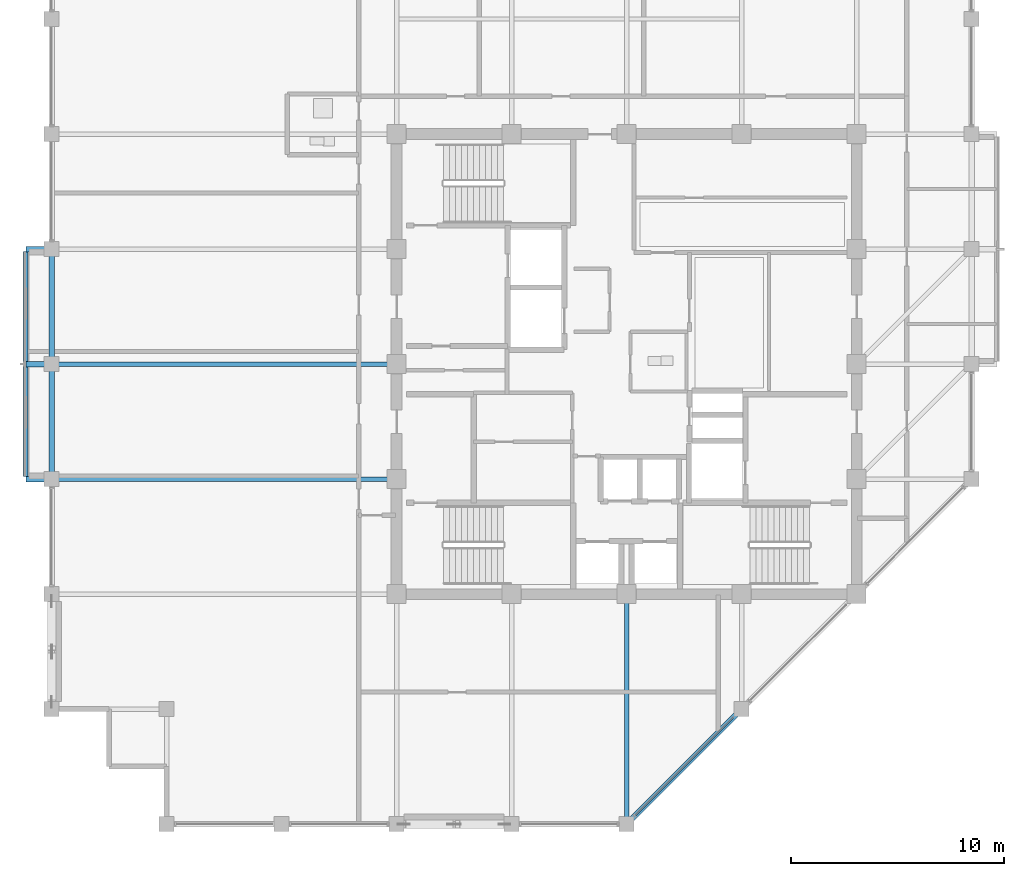
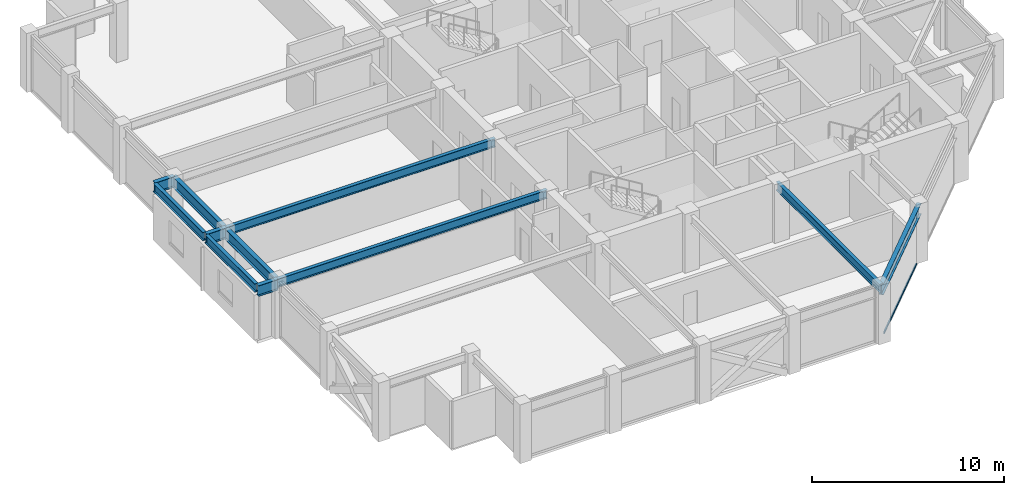
# One storey, part 7 of 29: 11 beams, 1 member, 1 element without a shape of its own.
"""IFC4 building model written with IfcOpenShell, lengths in metres."""

from ifc_helpers import new_model, si_unit, direction, frame, origin, origin_2d, place, context, subcontext, project, spatial, hollow_rectangle, i_section, extrude, material, layer, layer_set, material_profile, profile_set, type_object, element, aggregate, save


model = new_model("IFC4")

# Units and contexts
model_context = context("Model", 3, precision=1e-05, world=origin(), true_north=direction((0.0, 1.0)))
body_context = subcontext(model_context, "Body", "Model", "MODEL_VIEW")
ifc_project = project(units=[si_unit("LENGTHUNIT", "METRE"), si_unit("AREAUNIT", "SQUARE_METRE"), si_unit("VOLUMEUNIT", "CUBIC_METRE"), si_unit("PLANEANGLEUNIT", "RADIAN"), si_unit("MASSUNIT", "GRAM", prefix="KILO")], contexts=[model_context])

# Site, building, storey
site_placement = place(None, origin())
site = spatial("IfcSite", under=ifc_project, at=site_placement, CompositionType="ELEMENT")
building_placement = place(site_placement, origin())
building = spatial("IfcBuilding", under=site, at=building_placement, Name="Surkhivell Harbour Commons", CompositionType="ELEMENT")
storey_placement = place(building_placement, frame((0.0, 0.0, 273.75)))
storey = spatial("IfcBuildingStorey", under=building, at=storey_placement, Name="L71", CompositionType="ELEMENT", Elevation=273.75)

# Beams
ifc_material_1 = material(Name="Steel S460", Category="steel")
ifc_material_profile_1 = material_profile(ifc_material_1, i_section(OverallWidth=0.256103515625, OverallDepth=0.693115234375, WebThickness=0.014404296875, FlangeThickness=0.023681640625, at=origin_2d()), Name="UB686x254x170")
ifc_profile_set_1 = profile_set([ifc_material_profile_1], Name="Steel S460")
beam_type_1 = type_object("IfcBeamType", Name="BM-CNT-686", PredefinedType="BEAM", material=ifc_profile_set_1)
for number, where, z_axis, x_axis, name in (
    (1, (-27.0, -5.39990234375, 3.223388671875), (-1.0, 0.0, 0.0), (0.0, -1.0, 0.0), "L71 Box Cantilever Outrigger (-27.0,-5.4)"),
    (2, (-27.0, 0.0, 3.223388671875), (-1.0, 0.0, 0.0), (0.0, -1.0, 0.0), "L71 Box Cantilever Outrigger (-27.0,0.0)"),
    (3, (-27.0, 5.39990234375, 3.223388671875), (-1.0, 0.0, 0.0), (0.0, -1.0, 0.0), "L71 Box Cantilever Outrigger (-27.0,5.4)"),
):
    element("IfcBeam", number, at=place(storey_placement, frame(where, z_axis=z_axis, x_axis=x_axis)), inside=storey, type_object=beam_type_1, Name=name, PredefinedType="BEAM", context=body_context, shape_type="SweptSolid", body=[
        extrude(i_section(OverallWidth=0.256103515625, OverallDepth=0.693115234375, WebThickness=0.014404296875, FlangeThickness=0.023681640625, at=origin_2d()), origin(), (0.0, 0.0, 1.0), 1.199951171875),
    ])
ifc_material_2 = material(Name="Steel S355", Category="steel")
ifc_material_profile_2 = material_profile(ifc_material_2, i_section(OverallWidth=0.2099609375, OverallDepth=0.537109375, WebThickness=0.0107421875, FlangeThickness=0.017333984375, at=origin_2d()), Name="UB533x210x101")
ifc_profile_set_2 = profile_set([ifc_material_profile_2], Name="Steel S355")
beam_type_2 = type_object("IfcBeamType", Name="BM-GRD-533B", PredefinedType="BEAM", material=ifc_profile_set_2)
for number, where, z_axis, x_axis, name in (
    (4, (-27.0, -5.39990234375, 3.301513671875), (1.0, 0.0, 0.0), (0.0, 1.0, 0.0), "L71 Floor Girder (-27.0,-5.4)"),
    (5, (-27.0, 0.0, 3.301513671875), (1.0, 0.0, 0.0), (0.0, 1.0, 0.0), "L71 Floor Girder (-27.0,0.0)"),
):
    element("IfcBeam", number, at=place(storey_placement, frame(where, z_axis=z_axis, x_axis=x_axis)), inside=storey, type_object=beam_type_2, Name=name, PredefinedType="BEAM", context=body_context, shape_type="SweptSolid", body=[
        extrude(i_section(OverallWidth=0.2099609375, OverallDepth=0.537109375, WebThickness=0.0107421875, FlangeThickness=0.017333984375, at=origin_2d()), origin(), (0.0, 0.0, 1.0), 16.199951171875),
    ])
beam_1_placement = place(storey_placement, frame((0.0, -21.60009765625, 3.301513671875), z_axis=(0.0, 1.0, 0.0), x_axis=(-1.0, 0.0, 0.0)))
element("IfcBeam", 6, at=beam_1_placement, inside=storey, type_object=beam_type_2, Name="L71 Floor Girder (0.0,-21.6)", PredefinedType="BEAM", context=body_context, shape_type="SweptSolid", body=[
    extrude(i_section(OverallWidth=0.2099609375, OverallDepth=0.537109375, WebThickness=0.0107421875, FlangeThickness=0.017333984375, at=origin_2d()), origin(), (0.0, 0.0, 1.0), 10.800048828125),
])
for number, where, z_axis, x_axis, name in (
    (7, (-28.199951171875, -5.278076171875, 3.301513671875), (0.0, 1.0, 0.0), (-1.0, 0.0, 0.0), "L71 Box Rim Spandrel (-28.2,-5.4)"),
    (8, (-28.199951171875, 0.1220703125, 3.301513671875), (0.0, 1.0, 0.0), (-1.0, 0.0, 0.0), "L71 Box Rim Spandrel (-28.2,0.0)"),
):
    element("IfcBeam", number, at=place(storey_placement, frame(where, z_axis=z_axis, x_axis=x_axis)), inside=storey, type_object=beam_type_2, Name=name, PredefinedType="BEAM", context=body_context, shape_type="SweptSolid", body=[
        extrude(i_section(OverallWidth=0.2099609375, OverallDepth=0.537109375, WebThickness=0.0107421875, FlangeThickness=0.017333984375, at=origin_2d()), origin(), (0.0, 0.0, 1.0), 5.156005859375),
    ])
ifc_material_profile_3 = material_profile(ifc_material_2, i_section(OverallWidth=0.256103515625, OverallDepth=0.693115234375, WebThickness=0.014404296875, FlangeThickness=0.023681640625, at=origin_2d()), Name="UB686x254x170")
ifc_profile_set_3 = profile_set([ifc_material_profile_3], Name="Steel S355")
beam_type_3 = type_object("IfcBeamType", Name="BM-SPN-686", PredefinedType="SPANDREL", material=ifc_profile_set_3)
for number, where, z_axis, x_axis, name in (
    (9, (-27.0, -5.39990234375, 3.223388671875), (0.0, 1.0, 0.0), (-1.0, 0.0, 0.0), "L71 Tube Spandrel (-27.0,-5.4)"),
    (10, (-27.0, 0.0, 3.223388671875), (0.0, 1.0, 0.0), (-1.0, 0.0, 0.0), "L71 Tube Spandrel (-27.0,0.0)"),
):
    element("IfcBeam", number, at=place(storey_placement, frame(where, z_axis=z_axis, x_axis=x_axis)), inside=storey, type_object=beam_type_3, Name=name, PredefinedType="SPANDREL", context=body_context, shape_type="SweptSolid", body=[
        extrude(i_section(OverallWidth=0.256103515625, OverallDepth=0.693115234375, WebThickness=0.014404296875, FlangeThickness=0.023681640625, at=origin_2d()), origin(), (0.0, 0.0, 1.0), 5.39990234375),
    ])
beam_2_placement = place(storey_placement, frame((0.0, -21.60009765625, 3.223388671875), z_axis=(0.707090796496, 0.707122765516, 0.0), x_axis=(-0.707122765516, 0.707090796496, 0.0)))
element("IfcBeam", 11, at=beam_2_placement, inside=storey, type_object=beam_type_3, Name="L71 Tube Spandrel (-0.0,-21.6)", PredefinedType="SPANDREL", context=body_context, shape_type="SweptSolid", body=[
    extrude(i_section(OverallWidth=0.256103515625, OverallDepth=0.693115234375, WebThickness=0.014404296875, FlangeThickness=0.023681640625, at=origin_2d()), origin(), (0.0, 0.0, 1.0), 7.63671875),
])

# Curtain wall, member
ifc_material_3 = material(Name="Anodised pale-metal aluminium and insulated glazing", Category="aluminium")
ifc_layer = layer(ifc_material_3, 0.175048828125)
ifc_layer_set = layer_set([ifc_layer], Name="Anodised pale-metal aluminium and insulated glazing")
curtain_wall_type = type_object("IfcCurtainWallType", Name="CW-SYS-Z4", PredefinedType="NOTDEFINED", material=ifc_layer_set)
curtain_wall_placement = place(storey_placement, origin())
curtain_wall = element("IfcCurtainWall", 12, at=curtain_wall_placement, inside=storey, type_object=curtain_wall_type, Name="L71 Curtain Wall CW-L71-E01", PredefinedType="NOTDEFINED")
ifc_material_4 = material(Name="Champagne anodised aluminium alloy 6063-T6", Category="aluminium")
ifc_material_profile_4 = material_profile(ifc_material_4, hollow_rectangle(XDim=0.070068359375, YDim=0.1298828125, WallThickness=0.00341796875, at=origin_2d()), Name="ALU-TRAN-70x130")
ifc_profile_set_4 = profile_set([ifc_material_profile_4], Name="Champagne anodised aluminium alloy 6063-T6")
member_type = type_object("IfcMemberType", Name="CWT-130", PredefinedType="USERDEFINED", material=ifc_profile_set_4)
member_placement = place(storey_placement, frame((0.404541015625, -21.1953125, 0.06494140625), z_axis=(0.707125583467, 0.707087978406, 0.0), x_axis=(-0.707087978406, 0.707125583467, 0.0)))
member = element("IfcMember", 13, at=member_placement, type_object=member_type, Name="CW-Z4 transom 1.1", ObjectType="TRANSOM", PredefinedType="USERDEFINED", context=body_context, shape_type="SweptSolid", body=[
    extrude(hollow_rectangle(XDim=0.070068359375, YDim=0.1298828125, WallThickness=0.00341796875, at=origin_2d()), origin(), (0.0, 0.0, 1.0), 6.4921875),
])
aggregate(curtain_wall, [member])

save(model, "model.ifc")
